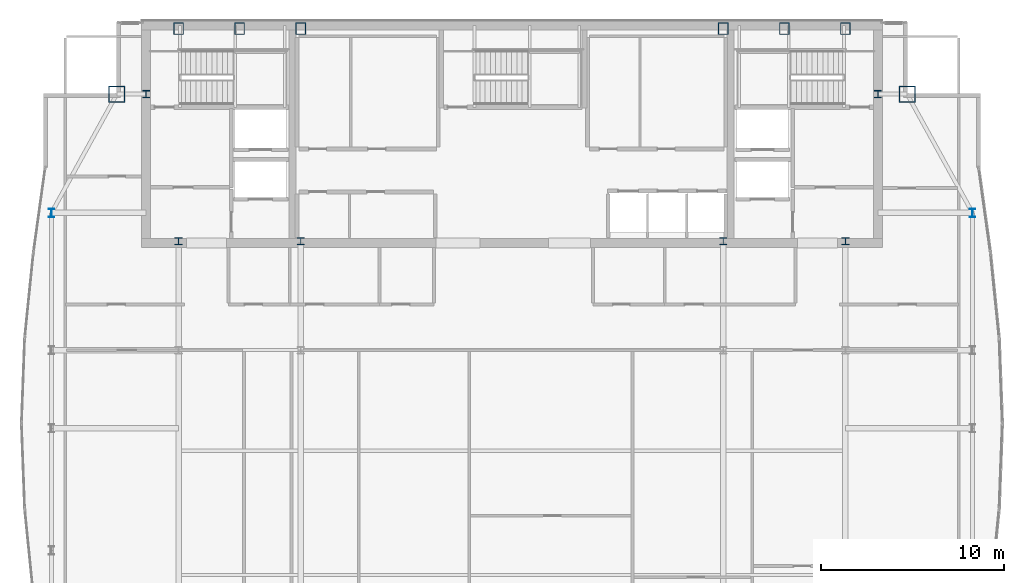
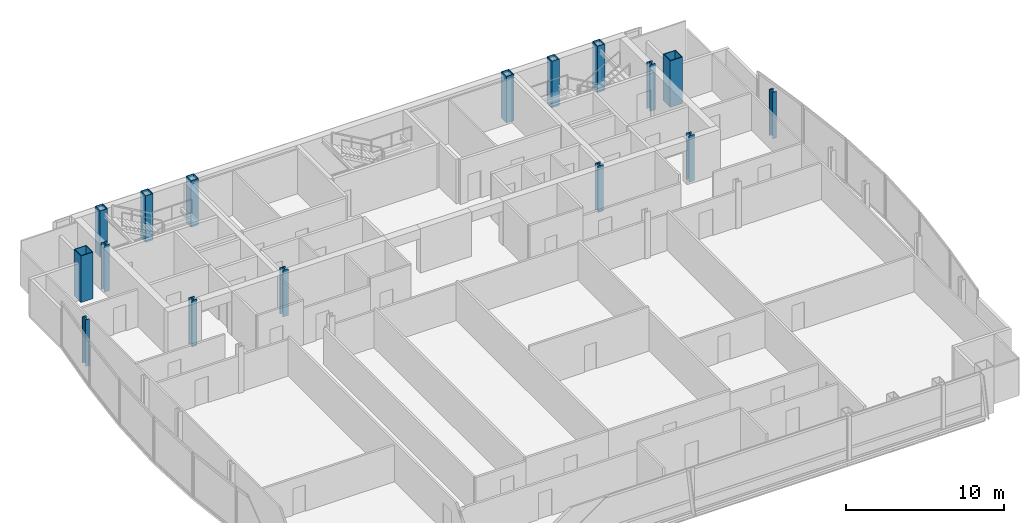
# One storey, part 3 of 26: 16 columns.
"""IFC4 building model written with IfcOpenShell, lengths in metres."""

from ifc_helpers import new_model, si_unit, direction, frame, origin, origin_2d, place, context, subcontext, project, spatial, hollow_rectangle, i_section, extrude, material, material_profile, profile_set, type_object, element, save


model = new_model("IFC4")

# Units and contexts
model_context = context("Model", 3, precision=1e-05, world=origin(), true_north=direction((0.0, 1.0)))
body_context = subcontext(model_context, "Body", "Model", "MODEL_VIEW")
ifc_project = project(units=[si_unit("LENGTHUNIT", "METRE"), si_unit("AREAUNIT", "SQUARE_METRE"), si_unit("VOLUMEUNIT", "CUBIC_METRE"), si_unit("PLANEANGLEUNIT", "RADIAN"), si_unit("MASSUNIT", "GRAM", prefix="KILO")], contexts=[model_context])

# Site, building, storey
site_placement = place(None, origin())
site = spatial("IfcSite", under=ifc_project, at=site_placement, CompositionType="ELEMENT")
building_placement = place(site_placement, origin())
building = spatial("IfcBuilding", under=site, at=building_placement, Name="Khoronbel Lancet Exchange", CompositionType="ELEMENT")
storey_placement = place(building_placement, frame((0.0, 0.0, 339.800048828125)))
storey = spatial("IfcBuildingStorey", under=building, at=storey_placement, Name="L88", CompositionType="ELEMENT", Elevation=339.800048828125)

# Columns
ifc_material_1 = material(Name="Steel S460", Category="steel")
ifc_material_profile_1 = material_profile(ifc_material_1, hollow_rectangle(XDim=0.550048828125, YDim=0.64990234375, WallThickness=0.0400390625, at=origin_2d()), Name="BOX 650x550x40")
ifc_profile_set_1 = profile_set([ifc_material_profile_1], Name="Steel S460")
column_type_1 = type_object("IfcColumnType", Name="COL-EC4", PredefinedType="COLUMN", material=ifc_profile_set_1)
for number, where, z_axis, x_axis, name in (
    (1, (18.22509765625, 53.280029296875, 0.0), (0.0, 0.0, 1.0), (1.0, 0.0, 0.0), "Structural column NC-W1 L88"),
    (2, (21.5625, 53.280029296875, 0.0), (0.0, 0.0, 1.0), (1.0, 0.0, 0.0), "Structural column NC-WM L88"),
    (3, (24.89990234375, 53.280029296875, 0.0), (0.0, 0.0, 1.0), (1.0, 0.0, 0.0), "Structural column NC-W2 L88"),
    (4, (48.0, 53.280029296875, 0.0), (0.0, 0.0, 1.0), (1.0, 0.0, 0.0), "Structural column NC-E1 L88"),
    (5, (51.33740234375, 53.280029296875, 0.0), (0.0, 0.0, 1.0), (1.0, 0.0, 0.0), "Structural column NC-EM L88"),
    (6, (54.675048828125, 53.280029296875, 0.0), (0.0, 0.0, 1.0), (1.0, 0.0, 0.0), "Structural column NC-E2 L88"),
):
    element("IfcColumn", number, at=place(storey_placement, frame(where, z_axis=z_axis, x_axis=x_axis)), inside=storey, type_object=column_type_1, Name=name, PredefinedType="COLUMN", context=body_context, shape_type="SweptSolid", body=[
        extrude(hollow_rectangle(XDim=0.550048828125, YDim=0.64990234375, WallThickness=0.0400390625, at=origin_2d()), origin(), (0.0, 0.0, 1.0), 3.599853515625),
    ])
ifc_material_2 = material(Name="Steel S355", Category="steel")
ifc_material_profile_2 = material_profile(ifc_material_2, i_section(OverallWidth=0.39892578125, OverallDepth=0.39306640625, WebThickness=0.022705078125, FlangeThickness=0.03662109375, at=origin_2d()), Name="HD 400x287")
ifc_profile_set_2 = profile_set([ifc_material_profile_2], Name="Steel S355")
column_type_2 = type_object("IfcColumnType", Name="COL-IC4", PredefinedType="COLUMN", material=ifc_profile_set_2)
for number, where, z_axis, x_axis, name in (
    (7, (16.449951171875, 49.699951171875, 0.0), (0.0, 0.0, 1.0), (1.0, 0.0, 0.0), "Core-flank plumb transfer column CFW L88"),
    (8, (56.449951171875, 49.699951171875, 0.0), (0.0, 0.0, 1.0), (1.0, 0.0, 0.0), "Core-flank plumb transfer column CFE L88"),
    (9, (18.22509765625, 41.64990234375, 0.0), (0.0, 0.0, 1.0), (1.0, 0.0, 0.0), "Core-embedded steel column CTC1 L88"),
    (10, (24.89990234375, 41.64990234375, 0.0), (0.0, 0.0, 1.0), (1.0, 0.0, 0.0), "Core-embedded steel column CTC2 L88"),
    (11, (48.0, 41.64990234375, 0.0), (0.0, 0.0, 1.0), (1.0, 0.0, 0.0), "Core-embedded steel column CTC3 L88"),
    (12, (54.675048828125, 41.64990234375, 0.0), (0.0, 0.0, 1.0), (1.0, 0.0, 0.0), "Core-embedded steel column CTC4 L88"),
):
    element("IfcColumn", number, at=place(storey_placement, frame(where, z_axis=z_axis, x_axis=x_axis)), inside=storey, type_object=column_type_2, Name=name, PredefinedType="COLUMN", context=body_context, shape_type="SweptSolid", body=[
        extrude(i_section(OverallWidth=0.39892578125, OverallDepth=0.39306640625, WebThickness=0.022705078125, FlangeThickness=0.03662109375, at=origin_2d()), origin(), (0.0, 0.0, 1.0), 3.599853515625),
    ])
ifc_material_profile_3 = material_profile(ifc_material_2, i_section(OverallWidth=0.300048828125, OverallDepth=0.449951171875, WebThickness=0.013916015625, FlangeThickness=0.02587890625, at=origin_2d()), Name="HEB 450")
ifc_profile_set_3 = profile_set([ifc_material_profile_3], Name="Steel S355")
column_type_3 = type_object("IfcColumnType", Name="COL-LC2", PredefinedType="COLUMN", material=ifc_profile_set_3)
for number, where, z_axis, x_axis, name in (
    (13, (11.27001953125, 43.199951171875, 0.0), (0.0, 0.0, 1.0), (1.0, 0.0, 0.0), "Structural column WC-4 L88"),
    (14, (61.6298828125, 43.199951171875, 0.0), (0.0, 0.0, 1.0), (1.0, 0.0, 0.0), "Structural column EC-4 L88"),
):
    element("IfcColumn", number, at=place(storey_placement, frame(where, z_axis=z_axis, x_axis=x_axis)), inside=storey, type_object=column_type_3, Name=name, PredefinedType="COLUMN", context=body_context, shape_type="SweptSolid", body=[
        extrude(i_section(OverallWidth=0.300048828125, OverallDepth=0.449951171875, WebThickness=0.013916015625, FlangeThickness=0.02587890625, at=origin_2d()), origin(), (0.0, 0.0, 1.0), 3.599853515625),
    ])
ifc_material_profile_4 = material_profile(ifc_material_1, hollow_rectangle(XDim=0.89990234375, YDim=0.89990234375, WallThickness=0.050048828125, at=origin_2d()), Name="BOX 900x900x50")
ifc_profile_set_4 = profile_set([ifc_material_profile_4], Name="Steel S460")
column_type_4 = type_object("IfcColumnType", Name="COL-MC7", PredefinedType="COLUMN", material=ifc_profile_set_4)
for number, where, z_axis, x_axis, name in (
    (15, (58.050048828125, 49.699951171875, 0.0), (0.0, 0.0, 1.0), (1.0, 0.0, 0.0), "Structural column MC-NE L88"),
    (16, (14.85009765625, 49.699951171875, 0.0), (0.0, 0.0, 1.0), (1.0, 0.0, 0.0), "Structural column MC-NW L88"),
):
    element("IfcColumn", number, at=place(storey_placement, frame(where, z_axis=z_axis, x_axis=x_axis)), inside=storey, type_object=column_type_4, Name=name, PredefinedType="COLUMN", context=body_context, shape_type="SweptSolid", body=[
        extrude(hollow_rectangle(XDim=0.89990234375, YDim=0.89990234375, WallThickness=0.050048828125, at=origin_2d()), origin(), (0.0, 0.0, 1.0), 3.599853515625),
    ])

save(model, "model.ifc")
